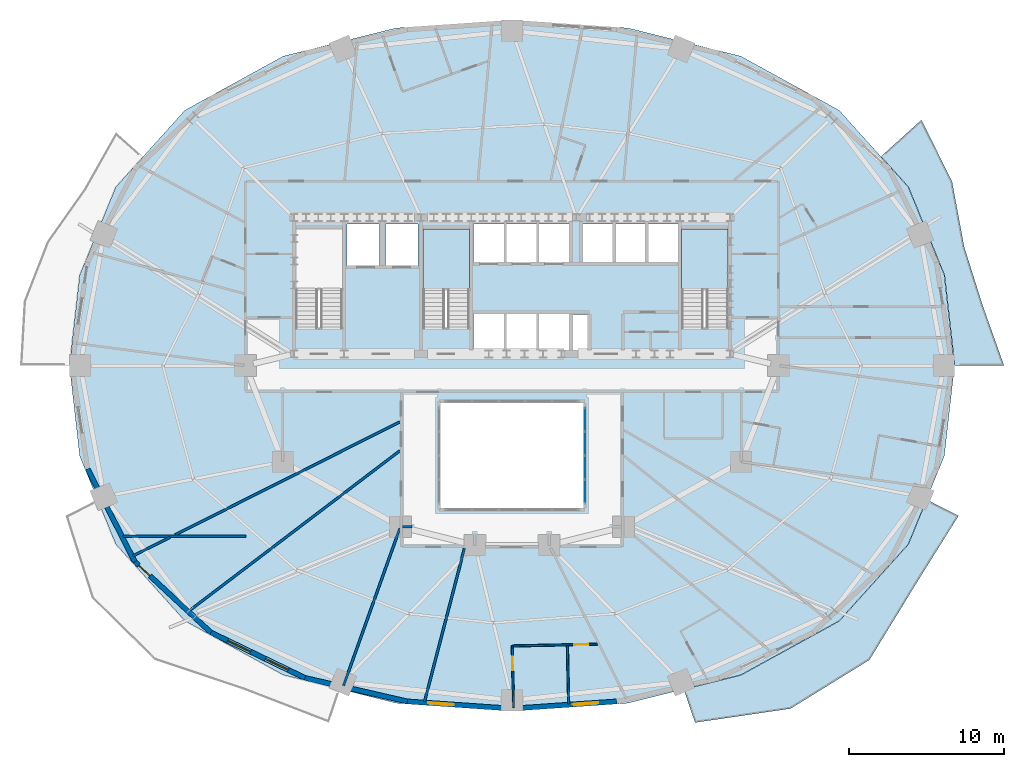
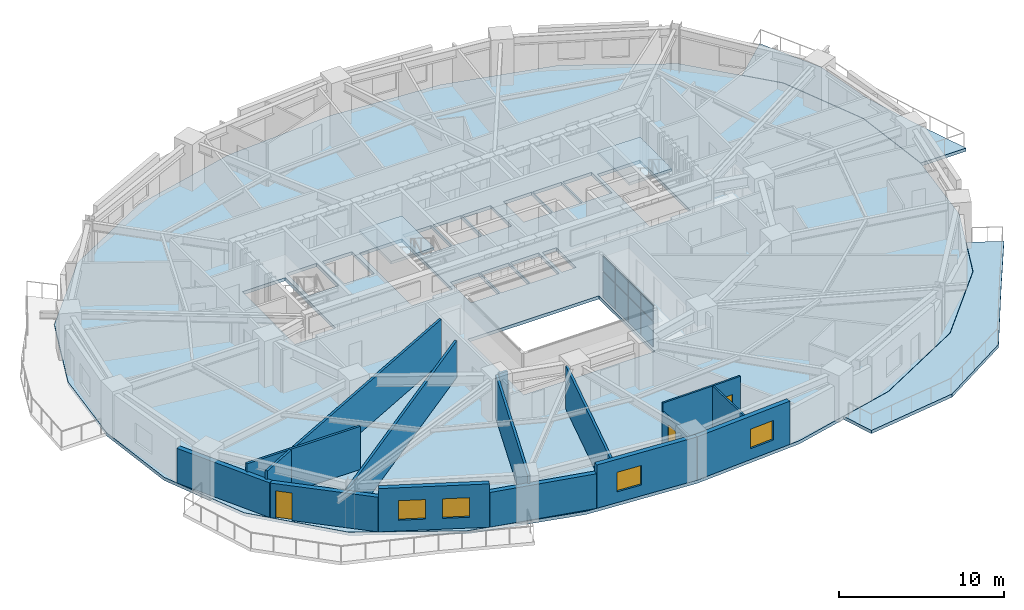
# One storey, part 7 of 15: 16 walls, 8 plates, 5 slabs, 4 windows, 3 doors, 7 openings, 3 elements without a shape of their own.
"""IFC4 building model written with IfcOpenShell, lengths in metres."""

import ifcopenshell
import ifcopenshell.guid

model = None  # the IFC model being written
_history = None  # IfcOwnerHistory: only IFC2X3 demands one
_inside = {}  # id of a spatial element -> (the spatial element, [elements in it])
_under = {}  # id of a project, library or spatial element -> (it, [spatial elements below it])
_declared = {}  # id of a project -> (the project, [libraries it declares])
_typed = {}  # id of a type object -> (the type object, [elements of that type])
_made_of = {}  # id of a material, layer set ... -> (it, [elements and type objects made of it])


def new_model(schema):
    """Start an empty IFC model of exactly this schema.

    Asked for "IFC4X3", IfcOpenShell would pick the latest addendum, in which some entities
    have other attributes; the version numbers below select the first issue.
    IFC2X3 requires an IfcOwnerHistory on every rooted entity: one is made here for all.
    """
    global model, _history
    if schema == "IFC4X3":
        model = ifcopenshell.file(schema_version=(4, 3, 0, 0))
    else:
        model = ifcopenshell.file(schema=schema)
    _inside.clear()
    _under.clear()
    _declared.clear()
    _typed.clear()
    _made_of.clear()
    _history = None
    if model.schema == "IFC2X3":
        org = make("IfcOrganization", Name="unknown")
        user = make(
            "IfcPersonAndOrganization",
            ThePerson=make("IfcPerson", FamilyName="unknown"),
            TheOrganization=org,
        )
        app = make(
            "IfcApplication",
            ApplicationDeveloper=org,
            Version="unknown",
            ApplicationFullName="unknown",
            ApplicationIdentifier="unknown",
        )
        _history = make(
            "IfcOwnerHistory",
            OwningUser=user,
            OwningApplication=app,
            ChangeAction="ADDED",
            CreationDate=0,
        )
    return model


def make(cls, **values):
    """One entity of the class cls with the attributes given. An attribute that is None is left unset."""
    return model.create_entity(
        cls, **{name: value for name, value in values.items() if value is not None}
    )


def rooted(cls, **values):
    """An entity with a GlobalId (a new one), such as an element, a storey or a relation."""
    return make(cls, GlobalId=ifcopenshell.guid.new(), OwnerHistory=_history, **values)


def si_unit(unit_type, name, prefix=None):
    """IfcSIUnit, for example si_unit("LENGTHUNIT", "METRE", prefix="MILLI")."""
    return make("IfcSIUnit", UnitType=unit_type, Prefix=prefix, Name=name)


def assignment(units):
    """IfcUnitAssignment: the units of a project."""
    return None if units is None else make("IfcUnitAssignment", Units=units)


def point(xyz):
    """IfcCartesianPoint."""
    return None if xyz is None else make("IfcCartesianPoint", Coordinates=xyz)


def direction(xyz):
    """IfcDirection."""
    return None if xyz is None else make("IfcDirection", DirectionRatios=xyz)


def frame(location, z_axis=None, x_axis=None):
    """IfcAxis2Placement3D, a coordinate frame: its origin and axes. An axis left out is left unset."""
    return make(
        "IfcAxis2Placement3D",
        Location=point(location),
        Axis=direction(z_axis),
        RefDirection=direction(x_axis),
    )


def frame_2d(location, x_axis=None):
    """IfcAxis2Placement2D, a coordinate frame in the plane: its origin and x axis."""
    return make(
        "IfcAxis2Placement2D", Location=point(location), RefDirection=direction(x_axis)
    )


def origin():
    """The frame at (0, 0, 0) with its axes left unset."""
    return frame((0.0, 0.0, 0.0))


def origin_2d():
    """The frame at (0, 0) in the plane with its x axis left unset."""
    return frame_2d((0.0, 0.0))


def place(relative_to, where):
    """IfcLocalPlacement: puts the frame where relative to a parent placement (None: the world)."""
    return make(
        "IfcLocalPlacement", PlacementRelTo=relative_to, RelativePlacement=where
    )


def context(
    kind, dimensions, precision=None, world=None, true_north=None, identifier=None
):
    """IfcGeometricRepresentationContext, for example the 3D "Model" context."""
    return make(
        "IfcGeometricRepresentationContext",
        ContextIdentifier=identifier,
        ContextType=kind,
        CoordinateSpaceDimension=dimensions,
        Precision=precision,
        WorldCoordinateSystem=world,
        TrueNorth=true_north,
    )


def subcontext(parent, identifier, kind, view, scale=None):
    """IfcGeometricRepresentationSubContext, for example "Body" below "Model"."""
    return make(
        "IfcGeometricRepresentationSubContext",
        ContextIdentifier=identifier,
        ContextType=kind,
        ParentContext=parent,
        TargetScale=scale,
        TargetView=view,
    )


def project(units=None, contexts=None):
    """IfcProject with its units and contexts."""
    return rooted(
        "IfcProject",
        Name="project",
        RepresentationContexts=contexts,
        UnitsInContext=assignment(units),
    )


def spatial(cls, under=None, at=None, **own):
    """A site, building, storey or space (cls), placed at a placement, below another one or the project."""
    s = rooted(cls, ObjectPlacement=at, **own)
    if under is not None:
        _under.setdefault(under.id(), (under, []))[1].append(s)
    return s


def polyline(points):
    """IfcPolyline through the points."""
    return make("IfcPolyline", Points=[point(p) for p in points])


def profile(cls, at=None, kind="AREA", **sizes):
    """A parametric profile (cls). Its sizes go by their IFC names, for example OverallWidth=200.0."""
    return make(cls, ProfileType=kind, Position=at, **sizes)


def rectangle(**sizes):
    """IfcRectangleProfileDef."""
    return profile("IfcRectangleProfileDef", **sizes)


def outline(outer, holes=None, kind="AREA"):
    """IfcArbitraryClosedProfileDef: a profile drawn as a closed curve; with holes, ...WithVoids."""
    if holes is None:
        return make("IfcArbitraryClosedProfileDef", ProfileType=kind, OuterCurve=outer)
    return make(
        "IfcArbitraryProfileDefWithVoids",
        ProfileType=kind,
        OuterCurve=outer,
        InnerCurves=holes,
    )


def extrude(swept, where, along, depth):
    """IfcExtrudedAreaSolid: the profile swept, set in the frame where, extruded along a direction by depth."""
    return make(
        "IfcExtrudedAreaSolid",
        SweptArea=swept,
        Position=where,
        ExtrudedDirection=direction(along),
        Depth=depth,
    )


def shape(context_of_items, identifier, shape_type, items):
    """IfcShapeRepresentation: the items that make up one representation, for example the "Body"."""
    return make(
        "IfcShapeRepresentation",
        ContextOfItems=context_of_items,
        RepresentationIdentifier=identifier,
        RepresentationType=shape_type,
        Items=items,
    )


def material(Name=None, Category=None):
    """IfcMaterial."""
    return make("IfcMaterial", Name=Name, Category=Category)


def layer(
    of_material, thickness, ventilated=None, Name=None, Category=None, Priority=None
):
    """IfcMaterialLayer: one layer of a wall or slab, of a material (None: an air gap)."""
    return make(
        "IfcMaterialLayer",
        Material=of_material,
        LayerThickness=thickness,
        IsVentilated=ventilated,
        Name=Name,
        Category=Category,
        Priority=Priority,
    )


def layer_set(layers, Name=None):
    """IfcMaterialLayerSet."""
    return make("IfcMaterialLayerSet", MaterialLayers=layers, LayerSetName=Name)


def made_of(thing, what):
    """Note that an element or type object is made of a material, layer set ...; save() writes the relation."""
    if what is not None:
        _made_of.setdefault(what.id(), (what, []))[1].append(thing)
    return thing


def type_object(cls, material=None, **own):
    """A type object (cls), such as IfcWallType, which elements share."""
    return made_of(rooted(cls, **own), material)


def element(
    cls,
    number,
    at=None,
    inside=None,
    cuts=None,
    type_object=None,
    material=None,
    context=None,
    identifier="Body",
    shape_type=None,
    held_by="IfcProductDefinitionShape",
    body=None,
    shapes=None,
    **own,
):
    """One element of the class cls, such as IfcWall. Its Tag is "e" and its number.

    at: its placement. inside: the storey or other place that contains it. cuts: it is an
    opening in that element (IfcRelVoidsElement). A single representation is given by context,
    identifier, shape_type and body (its items); several are given by shapes. held_by: the class
    of the entity that holds the representations. save() writes the other relations.
    """
    e = rooted(cls, Tag="e%d" % number, ObjectPlacement=at, **own)
    if body is not None:
        shapes = [shape(context, identifier, shape_type, body)]
    if shapes is not None:
        e.Representation = make(held_by, Representations=shapes)
    if inside is not None:
        _inside.setdefault(inside.id(), (inside, []))[1].append(e)
    if cuts is not None:
        rooted(
            "IfcRelVoidsElement", RelatingBuildingElement=cuts, RelatedOpeningElement=e
        )
    if type_object is not None:
        _typed.setdefault(type_object.id(), (type_object, []))[1].append(e)
    return made_of(e, material)


def fill(opening, filler):
    """IfcRelFillsElement: the door or window that sits in an opening."""
    return rooted(
        "IfcRelFillsElement",
        RelatingOpeningElement=opening,
        RelatedBuildingElement=filler,
    )


def aggregate(whole, parts):
    """IfcRelAggregates: a whole, such as a stair, and the parts it consists of."""
    return rooted("IfcRelAggregates", RelatingObject=whole, RelatedObjects=parts)


def save(model, path):
    """Write the relations noted so far, then the file.

    IfcRelAggregates (storeys below a building ...), IfcRelContainedInSpatialStructure (elements
    in a storey), IfcRelDefinesByType, IfcRelAssociatesMaterial and IfcRelDeclares: one each for
    every whole, place, type object, material and project.
    """
    for whole, parts in _under.values():
        aggregate(whole, parts)
    for where, things in _inside.values():
        rooted(
            "IfcRelContainedInSpatialStructure",
            RelatedElements=things,
            RelatingStructure=where,
        )
    for kind, things in _typed.values():
        rooted("IfcRelDefinesByType", RelatedObjects=things, RelatingType=kind)
    for what, things in _made_of.values():
        rooted("IfcRelAssociatesMaterial", RelatedObjects=things, RelatingMaterial=what)
    for by, libraries in _declared.values():
        rooted("IfcRelDeclares", RelatingContext=by, RelatedDefinitions=libraries)
    model.write(path)


model = new_model("IFC4")

# Units and contexts
model_context = context("Model", 3, precision=1e-05, world=origin(), true_north=direction((0.0, 1.0)))
body_context = subcontext(model_context, "Body", "Model", "MODEL_VIEW")
ifc_project = project(units=[si_unit("LENGTHUNIT", "METRE"), si_unit("AREAUNIT", "SQUARE_METRE"), si_unit("VOLUMEUNIT", "CUBIC_METRE"), si_unit("PLANEANGLEUNIT", "RADIAN"), si_unit("MASSUNIT", "GRAM", prefix="KILO")], contexts=[model_context])

# Site, building, storey
site_placement = place(None, origin())
site = spatial("IfcSite", under=ifc_project, at=site_placement, CompositionType="ELEMENT")
building_placement = place(site_placement, origin())
building = spatial("IfcBuilding", under=site, at=building_placement, Name="Haldorwick Loom Tower", CompositionType="ELEMENT")
storey_placement = place(building_placement, frame((0.0, 0.0, 85.25)))
storey = spatial("IfcBuildingStorey", under=building, at=storey_placement, Name="L22", CompositionType="ELEMENT", Elevation=85.25)

# Curtain wall, plates
ifc_material_1 = material(Name="Thermally Broken Anodized Aluminium Curtain Wall Framing", Category="aluminium")
curtain_wall_type = type_object("IfcCurtainWallType", Name="ARC-CW-03", PredefinedType="NOTDEFINED", material=ifc_material_1)
curtain_wall_placement = place(storey_placement, origin())
curtain_wall = element("IfcCurtainWall", 1, at=curtain_wall_placement, inside=storey, type_object=curtain_wall_type, Name="L22 Atrium Glazed Screen E", PredefinedType="NOTDEFINED")
ifc_material_2 = material(Name="Triple-Glazed Low-E Argon Insulated Glazing Unit", Category="glass")
ifc_layer_1 = layer(ifc_material_2, 0.04296875, Name="Triple-Glazed Low-E Argon Insulated Glazing Unit", Category="glass")
ifc_layer_set_1 = layer_set([ifc_layer_1], Name="Triple-Glazed Low-E Argon Insulated Glazing Unit")
plate_type = type_object("IfcPlateType", Name="ARC-CWP-03", PredefinedType="CURTAIN_PANEL", material=ifc_layer_set_1)
plate_1_placement = place(storey_placement, frame((40.699951171875, 22.508544921875, 0.066162109375), z_axis=(0.0, 0.0, 1.0), x_axis=(0.0, -1.0, 0.0)))
plate_1 = element("IfcPlate", 2, at=plate_1_placement, type_object=plate_type, Name="CW-03 panel 1.1", PredefinedType="CURTAIN_PANEL", context=body_context, shape_type="SweptSolid", body=[
    extrude(rectangle(XDim=1.450927734375, YDim=0.04296875, at=origin_2d()), origin(), (0.0, 0.0, 1.0), 1.90087890625),
])
plate_2_placement = place(storey_placement, frame((40.699951171875, 22.508544921875, 2.03271484375), z_axis=(0.0, 0.0, 1.0), x_axis=(0.0, -1.0, 0.0)))
plate_2 = element("IfcPlate", 3, at=plate_2_placement, type_object=plate_type, Name="CW-03 panel 1.2", PredefinedType="CURTAIN_PANEL", context=body_context, shape_type="SweptSolid", body=[
    extrude(rectangle(XDim=1.450927734375, YDim=0.04296875, at=origin_2d()), origin(), (0.0, 0.0, 1.0), 1.111083984375),
])
plate_3_placement = place(storey_placement, frame((40.699951171875, 20.97509765625, 0.066162109375), z_axis=(0.0, 0.0, 1.0), x_axis=(0.0, -1.0, 0.0)))
plate_3 = element("IfcPlate", 4, at=plate_3_placement, type_object=plate_type, Name="CW-03 panel 2.1", PredefinedType="CURTAIN_PANEL", context=body_context, shape_type="SweptSolid", body=[
    extrude(rectangle(XDim=1.48388671875, YDim=0.04296875, at=origin_2d()), origin(), (0.0, 0.0, 1.0), 1.90087890625),
])
plate_4_placement = place(storey_placement, frame((40.699951171875, 20.97509765625, 2.03271484375), z_axis=(0.0, 0.0, 1.0), x_axis=(0.0, -1.0, 0.0)))
plate_4 = element("IfcPlate", 5, at=plate_4_placement, type_object=plate_type, Name="CW-03 panel 2.2", PredefinedType="CURTAIN_PANEL", context=body_context, shape_type="SweptSolid", body=[
    extrude(rectangle(XDim=1.48388671875, YDim=0.04296875, at=origin_2d()), origin(), (0.0, 0.0, 1.0), 1.111083984375),
])
plate_5_placement = place(storey_placement, frame((40.699951171875, 19.425048828125, 0.066162109375), z_axis=(0.0, 0.0, 1.0), x_axis=(0.0, -1.0, 0.0)))
plate_5 = element("IfcPlate", 6, at=plate_5_placement, type_object=plate_type, Name="CW-03 panel 3.1", PredefinedType="CURTAIN_PANEL", context=body_context, shape_type="SweptSolid", body=[
    extrude(rectangle(XDim=1.48388671875, YDim=0.04296875, at=origin_2d()), origin(), (0.0, 0.0, 1.0), 1.90087890625),
])
plate_6_placement = place(storey_placement, frame((40.699951171875, 19.425048828125, 2.03271484375), z_axis=(0.0, 0.0, 1.0), x_axis=(0.0, -1.0, 0.0)))
plate_6 = element("IfcPlate", 7, at=plate_6_placement, type_object=plate_type, Name="CW-03 panel 3.2", PredefinedType="CURTAIN_PANEL", context=body_context, shape_type="SweptSolid", body=[
    extrude(rectangle(XDim=1.48388671875, YDim=0.04296875, at=origin_2d()), origin(), (0.0, 0.0, 1.0), 1.111083984375),
])
plate_7_placement = place(storey_placement, frame((40.699951171875, 17.8916015625, 0.066162109375), z_axis=(0.0, 0.0, 1.0), x_axis=(0.0, -1.0, 0.0)))
plate_7 = element("IfcPlate", 8, at=plate_7_placement, type_object=plate_type, Name="CW-03 panel 4.1", PredefinedType="CURTAIN_PANEL", context=body_context, shape_type="SweptSolid", body=[
    extrude(rectangle(XDim=1.450927734375, YDim=0.04296875, at=origin_2d()), origin(), (0.0, 0.0, 1.0), 1.90087890625),
])
plate_8_placement = place(storey_placement, frame((40.699951171875, 17.8916015625, 2.03271484375), z_axis=(0.0, 0.0, 1.0), x_axis=(0.0, -1.0, 0.0)))
plate_8 = element("IfcPlate", 9, at=plate_8_placement, type_object=plate_type, Name="CW-03 panel 4.2", PredefinedType="CURTAIN_PANEL", context=body_context, shape_type="SweptSolid", body=[
    extrude(rectangle(XDim=1.450927734375, YDim=0.04296875, at=origin_2d()), origin(), (0.0, 0.0, 1.0), 1.111083984375),
])
aggregate(curtain_wall, [plate_1, plate_2, plate_3, plate_4, plate_5, plate_6, plate_7, plate_8])

# Slabs
ifc_material_3 = material(Name="Concrete C40 (40 MPa)", Category="concrete")
ifc_layer_2 = layer(ifc_material_3, 0.239990234375, Name="Concrete C40 (40 MPa)", Category="concrete")
ifc_layer_set_2 = layer_set([ifc_layer_2], Name="Concrete C40 (40 MPa)")
slab_type_1 = type_object("IfcSlabType", Name="STR-SLB-BAL240", PredefinedType="FLOOR", material=ifc_layer_set_2)
slab_1_placement = place(storey_placement, frame((0.0, 0.0, -0.239990234375)))
element("IfcSlab", 10, at=slab_1_placement, inside=storey, type_object=slab_type_1, Name="L22 Sinusoidal Balcony Terrace BAL_SE", PredefinedType="FLOOR", context=body_context, shape_type="SweptSolid", body=[
    extrude(outline(polyline([(62.7587890625, 17.34912109375), (61.580078125, 14.468994140625), (61.579345703125, 14.4677734375), (61.578857421875, 14.466552734375), (61.578125, 14.465576171875), (61.5771484375, 14.464599609375), (57.11279296875, 9.51318359375), (57.11181640625, 9.51220703125), (57.1103515625, 9.510986328125), (57.10888671875, 9.51025390625), (50.767822265625, 6.0244140625), (50.7666015625, 6.023681640625), (50.765380859375, 6.023193359375), (50.76416015625, 6.022705078125), (47.08740234375, 5.105224609375), (47.81201171875, 2.964599609375), (53.978271484375, 3.8662109375), (59.06396484375, 7.01025390625), (62.07080078125, 11.92578125), (64.807373046875, 16.303955078125), (62.7587890625, 17.34912109375)])), origin(), (0.0, 0.0, 1.0), 0.239990234375),
])
slab_2_placement = place(storey_placement, frame((0.0, 0.0, -0.239990234375)))
element("IfcSlab", 11, at=slab_2_placement, inside=storey, type_object=slab_type_1, Name="L22 Sinusoidal Balcony Terrace BAL_ENE", PredefinedType="FLOOR", context=body_context, shape_type="SweptSolid", body=[
    extrude(outline(polyline([(59.81298828125, 39.491943359375), (61.5771484375, 37.535400390625), (61.578125, 37.534423828125), (61.578857421875, 37.533447265625), (61.579345703125, 37.5322265625), (61.580078125, 37.531005859375), (63.90869140625, 31.841796875), (63.9091796875, 31.840576171875), (63.909423828125, 31.83935546875), (63.90966796875, 31.837890625), (64.572509765625, 26.001708984375), (64.572509765625, 26.0), (67.74609375, 26.0), (66.357421875, 29.9150390625), (65.176025390625, 33.660888671875), (64.396728515625, 37.858642578125), (62.423095703125, 41.85400390625), (59.81298828125, 39.491943359375)])), origin(), (0.0, 0.0, 1.0), 0.239990234375),
])

# Stair, slab
stair_type = type_object("IfcStairType", Name="STR-STR-CORE", PredefinedType="HALF_TURN_STAIR", material=ifc_material_3)
stair_1_placement = place(storey_placement, origin())
stair_1 = element("IfcStair", 12, at=stair_1_placement, inside=storey, type_object=stair_type, Name="L22 Exit Stair ST-02", PredefinedType="HALF_TURN_STAIR")
ifc_layer_3 = layer(ifc_material_3, 0.199951171875, Name="Concrete C40 (40 MPa)", Category="concrete")
ifc_layer_set_3 = layer_set([ifc_layer_3], Name="Concrete C40 (40 MPa)")
slab_type_2 = type_object("IfcSlabType", Name="STR-SLB-LAND200", PredefinedType="LANDING", material=ifc_layer_set_3)
slab_3_placement = place(storey_placement, frame((0.0, 0.0, 1.52490234375)))
slab_3 = element("IfcSlab", 13, at=slab_3_placement, type_object=slab_type_2, Name="ST-02 landing 1", PredefinedType="LANDING", context=body_context, shape_type="SweptSolid", body=[
    extrude(outline(polyline([(49.949951171875, 30.919921875), (49.949951171875, 34.800048828125), (46.949951171875, 34.800048828125), (46.949951171875, 30.919921875), (49.949951171875, 30.919921875)])), origin(), (0.0, 0.0, 1.0), 0.2001953125),
])
aggregate(stair_1, [slab_3])

stair_2_placement = place(storey_placement, origin())
stair_2 = element("IfcStair", 14, at=stair_2_placement, inside=storey, type_object=stair_type, Name="L22 Exit Stair ST-03", PredefinedType="HALF_TURN_STAIR")
slab_4_placement = place(storey_placement, frame((0.0, 0.0, 1.52490234375)))
slab_4 = element("IfcSlab", 15, at=slab_4_placement, type_object=slab_type_2, Name="ST-03 landing 1", PredefinedType="LANDING", context=body_context, shape_type="SweptSolid", body=[
    extrude(outline(polyline([(33.25, 30.919921875), (33.25, 34.800048828125), (30.25, 34.800048828125), (30.25, 30.919921875), (33.25, 30.919921875)])), origin(), (0.0, 0.0, 1.0), 0.2001953125),
])
aggregate(stair_2, [slab_4])

# Slab
ifc_layer_4 = layer(ifc_material_3, 0.239990234375, Name="Concrete C40 (40 MPa)", Category="concrete")
ifc_layer_set_4 = layer_set([ifc_layer_4], Name="Concrete C40 (40 MPa)")
slab_type_3 = type_object("IfcSlabType", Name="STR-SLB-RES240", PredefinedType="FLOOR", material=ifc_layer_set_4)
slab_5_placement = place(storey_placement, frame((0.0, 0.0, -0.239990234375)))
element("IfcSlab", 16, at=slab_5_placement, inside=storey, type_object=slab_type_3, Name="L22 Residential Structural Floor Slab", PredefinedType="FLOOR", context=body_context, shape_type="SweptSolid", body=[
    extrude(outline(polyline([(57.101806640625, 9.523193359375), (61.566162109375, 14.474609375), (63.894775390625, 20.163818359375), (64.5576171875, 26.0), (63.894775390625, 31.836181640625), (61.566162109375, 37.525390625), (57.101806640625, 42.476806640625), (50.760498046875, 45.962646484375), (43.474365234375, 47.781005859375), (36.0, 48.29833984375), (28.525634765625, 47.781005859375), (21.239501953125, 45.962646484375), (14.898193359375, 42.476806640625), (10.433837890625, 37.525390625), (8.105224609375, 31.836181640625), (7.4423828125, 26.0), (8.105224609375, 20.163818359375), (10.433837890625, 14.474609375), (14.898193359375, 9.523193359375), (21.239501953125, 6.037353515625), (28.525634765625, 4.218994140625), (36.0, 3.70166015625), (43.474365234375, 4.218994140625), (50.760498046875, 6.037353515625), (57.101806640625, 9.523193359375)]), holes=[polyline([(31.39990234375, 23.60009765625), (40.60009765625, 23.60009765625), (40.60009765625, 16.800048828125), (31.39990234375, 16.800048828125), (31.39990234375, 23.60009765625)]), polyline([(33.5, 26.85009765625), (33.5, 29.35009765625), (35.5, 29.35009765625), (35.5, 26.85009765625), (33.5, 26.85009765625)]), polyline([(22.050048828125, 28.39990234375), (22.050048828125, 34.800048828125), (25.050048828125, 34.800048828125), (25.050048828125, 28.639892578125), (23.6201171875, 28.639892578125), (23.6201171875, 28.39990234375), (22.050048828125, 28.39990234375)]), polyline([(30.25, 28.39990234375), (30.25, 34.800048828125), (33.25, 34.800048828125), (33.25, 28.639892578125), (31.820068359375, 28.639892578125), (31.820068359375, 28.39990234375), (30.25, 28.39990234375)]), polyline([(25.35009765625, 32.449951171875), (25.35009765625, 35.14990234375), (27.449951171875, 35.14990234375), (27.449951171875, 32.449951171875), (25.35009765625, 32.449951171875)]), polyline([(27.85009765625, 32.449951171875), (27.85009765625, 35.14990234375), (29.949951171875, 35.14990234375), (29.949951171875, 32.449951171875), (27.85009765625, 32.449951171875)]), polyline([(33.5, 32.64990234375), (33.5, 35.14990234375), (35.5, 35.14990234375), (35.5, 32.64990234375), (33.5, 32.64990234375)]), polyline([(35.60009765625, 32.64990234375), (35.60009765625, 35.14990234375), (37.60009765625, 35.14990234375), (37.60009765625, 32.64990234375), (35.60009765625, 32.64990234375)]), polyline([(35.60009765625, 26.85009765625), (35.60009765625, 29.35009765625), (37.60009765625, 29.35009765625), (37.60009765625, 26.85009765625), (35.60009765625, 26.85009765625)]), polyline([(37.699951171875, 26.85009765625), (37.699951171875, 29.35009765625), (39.699951171875, 29.35009765625), (39.699951171875, 26.85009765625), (37.699951171875, 26.85009765625)]), polyline([(39.89990234375, 26.89990234375), (39.89990234375, 29.300048828125), (40.89990234375, 29.300048828125), (40.89990234375, 26.89990234375), (39.89990234375, 26.89990234375)]), polyline([(46.949951171875, 28.39990234375), (46.949951171875, 34.800048828125), (49.949951171875, 34.800048828125), (49.949951171875, 28.639892578125), (48.52001953125, 28.639892578125), (48.52001953125, 28.39990234375), (46.949951171875, 28.39990234375)]), polyline([(37.699951171875, 32.64990234375), (37.699951171875, 35.14990234375), (39.699951171875, 35.14990234375), (39.699951171875, 32.64990234375), (37.699951171875, 32.64990234375)]), polyline([(40.550048828125, 32.64990234375), (40.550048828125, 35.14990234375), (42.550048828125, 35.14990234375), (42.550048828125, 32.64990234375), (40.550048828125, 32.64990234375)]), polyline([(42.64990234375, 32.64990234375), (42.64990234375, 35.14990234375), (44.64990234375, 35.14990234375), (44.64990234375, 32.64990234375), (42.64990234375, 32.64990234375)]), polyline([(44.75, 32.64990234375), (44.75, 35.14990234375), (46.75, 35.14990234375), (46.75, 32.64990234375), (44.75, 32.64990234375)])]), origin(), (0.0, 0.0, 1.0), 0.239990234375),
])

# Wall
ifc_material_4 = material(Name="Pressed Clay Face Brick and Insulated Masonry Backup Assembly", Category="masonry")
ifc_layer_5 = layer(ifc_material_4, 0.320068359375, Name="Pressed Clay Face Brick and Insulated Masonry Backup Assembly", Category="masonry")
ifc_layer_set_5 = layer_set([ifc_layer_5], Name="Pressed Clay Face Brick and Insulated Masonry Backup Assembly")
wall_type_1 = type_object("IfcWallType", Name="ARC-WL-EXT320", PredefinedType="STANDARD", material=ifc_layer_set_5)
wall_1_placement = place(storey_placement, frame((8.619384765625, 19.324951171875, 0.0), z_axis=(0.0, 0.0, 1.0), x_axis=(0.453374078001, -0.89132033826, 0.0)))
element("IfcWall", 17, at=wall_1_placement, inside=storey, type_object=wall_type_1, Name="L22 Brick Pier and Spandrel Wall 14", PredefinedType="STANDARD", context=body_context, shape_type="SweptSolid", body=[
    extrude(rectangle(XDim=6.709716796875, YDim=0.320068359375, at=frame_2d((3.35498046875, 0.0))), origin(), (0.0, 0.0, 1.0), 2.569091796875),
])

# Wall, opening, door
wall_2_placement = place(storey_placement, frame((11.661376953125, 13.344482421875, 0.0), z_axis=(0.0, 0.0, 1.0), x_axis=(0.732137360086, -0.681157020052, 0.0)))
wall_2 = element("IfcWall", 18, at=wall_2_placement, inside=storey, type_object=wall_type_1, Name="L22 Brick Pier and Spandrel Wall 15", PredefinedType="STANDARD", context=body_context, shape_type="SweptSolid", body=[
    extrude(rectangle(XDim=6.709228515625, YDim=0.320068359375, at=frame_2d((3.3544921875, 0.0))), origin(), (0.0, 0.0, 1.0), 2.569091796875),
])
opening_1_placement = place(wall_2_placement, frame((0.340087890625, 0.0, 0.0)))
opening_1 = element("IfcOpeningElement", 19, at=opening_1_placement, cuts=wall_2, Name="Opening D-BL10", PredefinedType="OPENING", context=body_context, shape_type="SweptSolid", body=[
    extrude(rectangle(XDim=1.0, YDim=2.0400390625, at=frame_2d((0.5, 1.02001953125))), frame((0.0, 0.169921875, 0.0), z_axis=(0.0, -1.0, 0.0), x_axis=(1.0, 0.0, 0.0)), (0.0, 0.0, 1.0), 0.340087890625),
])
door_type_1 = type_object("IfcDoorType", Name="ARC-DR-BAL100", OperationType="NOTDEFINED", PredefinedType="DOOR", material=ifc_material_1)
door_1_placement = place(opening_1_placement, origin())
door_1 = element("IfcDoor", 20, at=door_1_placement, inside=storey, type_object=door_type_1, Name="L22 Outdoor Terrace Door SLB-L22-BAL_SW", OperationType="SINGLE_SWING_LEFT", OverallHeight=2.0400390625, OverallWidth=1.0, PredefinedType="DOOR", context=body_context, shape_type="SweptSolid", body=[
    extrude(rectangle(XDim=1.0, YDim=2.0400390625, at=frame_2d((0.5, 1.02001953125))), frame((0.0, 0.02490234375, 0.0), z_axis=(0.0, -1.0, 0.0), x_axis=(1.0, 0.0, 0.0)), (0.0, 0.0, 1.0), 0.050048828125),
])
fill(opening_1, door_1)

# Wall, openings, windows
wall_3_placement = place(storey_placement, frame((16.573486328125, 8.7744140625, 0.0), z_axis=(0.0, 0.0, 1.0), x_axis=(0.900510094661, -0.434835106004, 0.0)))
wall_3 = element("IfcWall", 21, at=wall_3_placement, inside=storey, type_object=wall_type_1, Name="L22 Brick Pier and Spandrel Wall 16", PredefinedType="STANDARD", context=body_context, shape_type="SweptSolid", body=[
    extrude(rectangle(XDim=6.744873046875, YDim=0.320068359375, at=frame_2d((3.37255859375, 0.0))), origin(), (0.0, 0.0, 1.0), 3.2099609375),
])
opening_2_placement = place(wall_3_placement, frame((1.198486328125, 0.0, 0.800048828125)))
opening_2 = element("IfcOpeningElement", 22, at=opening_2_placement, cuts=wall_3, Name="Opening W-01B", PredefinedType="OPENING", context=body_context, shape_type="SweptSolid", body=[
    extrude(rectangle(XDim=1.64990234375, YDim=1.449951171875, at=frame_2d((0.824951171875, 0.72509765625))), frame((0.0, 0.169921875, 0.0), z_axis=(0.0, -1.0, 0.0), x_axis=(1.0, 0.0, 0.0)), (0.0, 0.0, 1.0), 0.340087890625),
])
opening_3_placement = place(wall_3_placement, frame((3.896484375, 0.0, 0.800048828125)))
opening_3 = element("IfcOpeningElement", 23, at=opening_3_placement, cuts=wall_3, Name="Opening W-01B", PredefinedType="OPENING", context=body_context, shape_type="SweptSolid", body=[
    extrude(rectangle(XDim=1.64990234375, YDim=1.449951171875, at=frame_2d((0.824951171875, 0.72509765625))), frame((0.0, 0.169921875, 0.0), z_axis=(0.0, -1.0, 0.0), x_axis=(1.0, 0.0, 0.0)), (0.0, 0.0, 1.0), 0.340087890625),
])
window_type = type_object("IfcWindowType", Name="ARC-WIN-W165", PartitioningType="SINGLE_PANEL", PredefinedType="WINDOW", material=ifc_material_2)
window_1_placement = place(opening_2_placement, origin())
window_1 = element("IfcWindow", 24, at=window_1_placement, inside=storey, type_object=window_type, Name="L22 Deep-Set Zone 7A Window 16", OverallHeight=1.449951171875, OverallWidth=1.64990234375, PartitioningType="SINGLE_PANEL", PredefinedType="WINDOW", context=body_context, shape_type="SweptSolid", body=[
    extrude(rectangle(XDim=1.64990234375, YDim=1.449951171875, at=frame_2d((0.824951171875, 0.72509765625))), frame((0.0, 0.030029296875, 0.0), z_axis=(0.0, -1.0, 0.0), x_axis=(1.0, 0.0, 0.0)), (0.0, 0.0, 1.0), 0.06005859375),
])
fill(opening_2, window_1)
window_2_placement = place(opening_3_placement, origin())
window_2 = element("IfcWindow", 25, at=window_2_placement, inside=storey, type_object=window_type, Name="L22 Deep-Set Zone 7A Window 16", OverallHeight=1.449951171875, OverallWidth=1.64990234375, PartitioningType="SINGLE_PANEL", PredefinedType="WINDOW", context=body_context, shape_type="SweptSolid", body=[
    extrude(rectangle(XDim=1.64990234375, YDim=1.449951171875, at=frame_2d((0.824951171875, 0.72509765625))), frame((0.0, 0.030029296875, 0.0), z_axis=(0.0, -1.0, 0.0), x_axis=(1.0, 0.0, 0.0)), (0.0, 0.0, 1.0), 0.06005859375),
])
fill(opening_3, window_2)

# Wall
wall_4_placement = place(storey_placement, frame((22.647216796875, 5.841552734375, 0.0), z_axis=(0.0, 0.0, 1.0), x_axis=(0.974584177714, -0.224021607329, 0.0)))
element("IfcWall", 26, at=wall_4_placement, inside=storey, type_object=wall_type_1, Name="L22 Brick Pier and Spandrel Wall 17", PredefinedType="STANDARD", context=body_context, shape_type="SweptSolid", body=[
    extrude(rectangle(XDim=6.767822265625, YDim=0.320068359375, at=frame_2d((3.3837890625, 0.0))), origin(), (0.0, 0.0, 1.0), 2.569091796875),
])

# Wall, opening, window
wall_5_placement = place(storey_placement, frame((29.242919921875, 4.325439453125, 0.0), z_axis=(0.0, 0.0, 1.0), x_axis=(0.997651949344, -0.068487867318, 0.0)))
wall_5 = element("IfcWall", 27, at=wall_5_placement, inside=storey, type_object=wall_type_1, Name="L22 Brick Pier and Spandrel Wall 18", PredefinedType="STANDARD", context=body_context, shape_type="SweptSolid", body=[
    extrude(rectangle(XDim=6.77294921875, YDim=0.320068359375, at=frame_2d((3.386474609375, 0.0))), origin(), (0.0, 0.0, 1.0), 3.2099609375),
])
opening_4_placement = place(wall_5_placement, frame((1.360595703125, 0.0, 0.800048828125)))
opening_4 = element("IfcOpeningElement", 28, at=opening_4_placement, cuts=wall_5, Name="Opening W-01B", PredefinedType="OPENING", context=body_context, shape_type="SweptSolid", body=[
    extrude(rectangle(XDim=1.64990234375, YDim=1.449951171875, at=frame_2d((0.824951171875, 0.72509765625))), frame((0.0, 0.169921875, 0.0), z_axis=(0.0, -1.0, 0.0), x_axis=(1.0, 0.0, 0.0)), (0.0, 0.0, 1.0), 0.340087890625),
])
window_3_placement = place(opening_4_placement, origin())
window_3 = element("IfcWindow", 29, at=window_3_placement, inside=storey, type_object=window_type, Name="L22 Deep-Set Zone 7A Window 18", OverallHeight=1.449951171875, OverallWidth=1.64990234375, PartitioningType="SINGLE_PANEL", PredefinedType="WINDOW", context=body_context, shape_type="SweptSolid", body=[
    extrude(rectangle(XDim=1.64990234375, YDim=1.449951171875, at=frame_2d((0.824951171875, 0.72509765625))), frame((0.0, 0.030029296875, 0.0), z_axis=(0.0, -1.0, 0.0), x_axis=(1.0, 0.0, 0.0)), (0.0, 0.0, 1.0), 0.06005859375),
])
fill(opening_4, window_3)

wall_6_placement = place(storey_placement, frame((36.0, 3.861572265625, 0.0), z_axis=(0.0, 0.0, 1.0), x_axis=(0.997651949344, 0.068487867318, 0.0)))
wall_6 = element("IfcWall", 30, at=wall_6_placement, inside=storey, type_object=wall_type_1, Name="L22 Brick Pier and Spandrel Wall 19", PredefinedType="STANDARD", context=body_context, shape_type="SweptSolid", body=[
    extrude(rectangle(XDim=6.77294921875, YDim=0.320068359375, at=frame_2d((3.386474609375, 0.0))), origin(), (0.0, 0.0, 1.0), 3.2099609375),
])
opening_5_placement = place(wall_6_placement, frame((3.916015625, 0.0, 0.800048828125)))
opening_5 = element("IfcOpeningElement", 31, at=opening_5_placement, cuts=wall_6, Name="Opening W-01B", PredefinedType="OPENING", context=body_context, shape_type="SweptSolid", body=[
    extrude(rectangle(XDim=1.64990234375, YDim=1.449951171875, at=frame_2d((0.824951171875, 0.72509765625))), frame((0.0, 0.169921875, 0.0), z_axis=(0.0, -1.0, 0.0), x_axis=(1.0, 0.0, 0.0)), (0.0, 0.0, 1.0), 0.340087890625),
])
window_4_placement = place(opening_5_placement, origin())
window_4 = element("IfcWindow", 32, at=window_4_placement, inside=storey, type_object=window_type, Name="L22 Deep-Set Zone 7A Window 19", OverallHeight=1.449951171875, OverallWidth=1.64990234375, PartitioningType="SINGLE_PANEL", PredefinedType="WINDOW", context=body_context, shape_type="SweptSolid", body=[
    extrude(rectangle(XDim=1.64990234375, YDim=1.449951171875, at=frame_2d((0.824951171875, 0.72509765625))), frame((0.0, 0.030029296875, 0.0), z_axis=(0.0, -1.0, 0.0), x_axis=(1.0, 0.0, 0.0)), (0.0, 0.0, 1.0), 0.06005859375),
])
fill(opening_5, window_4)

# Walls
ifc_material_5 = material(Name="Fire-Rated Type X Gypsum Stud Assembly EI 60")
ifc_layer_6 = layer(ifc_material_5, 0.159912109375, Name="Fire-Rated Type X Gypsum Stud Assembly EI 60")
ifc_layer_set_6 = layer_set([ifc_layer_6], Name="Fire-Rated Type X Gypsum Stud Assembly EI 60")
wall_type_2 = type_object("IfcWallType", Name="ARC-WL-FIRE160", PredefinedType="PARTITIONING", material=ifc_layer_set_6)
wall_7_placement = place(storey_placement, frame((28.76708984375, 15.5078125, 0.0), z_axis=(0.0, 0.0, 1.0), x_axis=(-0.337029319977, -0.941494151589, 0.0)))
element("IfcWall", 33, at=wall_7_placement, inside=storey, type_object=wall_type_2, Name="L22 Residential Fire Partition L22-ICR-10", PredefinedType="PARTITIONING", context=body_context, shape_type="SweptSolid", body=[
    extrude(rectangle(XDim=10.80126953125, YDim=0.159912109375, at=frame_2d((5.400634765625, 0.0))), origin(), (0.0, 0.0, 1.0), 3.195068359375),
])
wall_8_placement = place(storey_placement, frame((29.550048828125, 15.60009765625, 0.0), z_axis=(0.0, 0.0, 1.0), x_axis=(-1.0, 0.0, 0.0)))
element("IfcWall", 34, at=wall_8_placement, inside=storey, type_object=wall_type_2, Name="L22 Residential Fire Partition L22-ICA-09", PredefinedType="PARTITIONING", context=body_context, shape_type="SweptSolid", body=[
    extrude(rectangle(XDim=0.616943359375, YDim=0.159912109375, at=frame_2d((0.30859375, 0.0))), origin(), (0.0, 0.0, 1.0), 3.195068359375),
])
wall_9_placement = place(storey_placement, frame((10.89208984375, 15.0, 0.0), z_axis=(0.0, 0.0, 1.0), x_axis=(1.0, 0.0, 0.0)))
element("IfcWall", 35, at=wall_9_placement, inside=storey, type_object=wall_type_2, Name="L22 Residential Fire Partition L22-FLW-16", PredefinedType="PARTITIONING", context=body_context, shape_type="SweptSolid", body=[
    extrude(rectangle(XDim=7.9580078125, YDim=0.159912109375, at=frame_2d((3.97900390625, 0.0))), origin(), (0.0, 0.0, 1.0), 3.195068359375),
])
wall_10_placement = place(storey_placement, frame((32.933349609375, 14.217041015625, 0.0), z_axis=(0.0, 0.0, 1.0), x_axis=(-0.251876990482, -0.967759258114, 0.0)))
element("IfcWall", 36, at=wall_10_placement, inside=storey, type_object=wall_type_2, Name="L22 Suite Split Wall", PredefinedType="PARTITIONING", context=body_context, shape_type="SweptSolid", body=[
    extrude(rectangle(XDim=10.232666015625, YDim=0.159912109375, at=frame_2d((5.1162109375, 0.0))), origin(), (0.0, 0.0, 1.0), 3.195068359375),
])
wall_11_placement = place(storey_placement, frame((28.76708984375, 22.365966796875, 0.0), z_axis=(0.0, 0.0, 1.0), x_axis=(-0.893564716525, -0.448934402093, 0.0)))
element("IfcWall", 37, at=wall_11_placement, inside=storey, type_object=wall_type_2, Name="L22 Suite Split Wall", PredefinedType="PARTITIONING", context=body_context, shape_type="SweptSolid", body=[
    extrude(rectangle(XDim=16.22265625, YDim=0.159912109375, at=frame_2d((8.111328125, 0.0))), origin(), (0.0, 0.0, 1.0), 3.195068359375),
])
wall_12_placement = place(storey_placement, frame((13.940673828125, 14.9169921875, 0.0), z_axis=(0.0, 0.0, 1.0), x_axis=(-0.89356906561, -0.448925745514, 0.0)))
element("IfcWall", 38, at=wall_12_placement, inside=storey, type_object=wall_type_2, Name="L22 Suite Split Wall", PredefinedType="PARTITIONING", context=body_context, shape_type="SweptSolid", body=[
    extrude(rectangle(XDim=2.679443359375, YDim=0.159912109375, at=frame_2d((1.33984375, 0.0))), origin(), (0.0, 0.0, 1.0), 3.195068359375),
])
wall_13_placement = place(storey_placement, frame((28.76708984375, 20.505126953125, 0.0), z_axis=(0.0, 0.0, 1.0), x_axis=(-0.796283367335, -0.604923795949, 0.0)))
element("IfcWall", 39, at=wall_13_placement, inside=storey, type_object=wall_type_2, Name="L22 Suite Split Wall", PredefinedType="PARTITIONING", context=body_context, shape_type="SweptSolid", body=[
    extrude(rectangle(XDim=17.080810546875, YDim=0.159912109375, at=frame_2d((8.54052734375, 0.0))), origin(), (0.0, 0.0, 1.0), 2.718994140625),
])

# Wall, opening, door
ifc_material_6 = material(Name="Acoustic Gypsum Stud Assembly STC 55")
ifc_layer_7 = layer(ifc_material_6, 0.1201171875, Name="Acoustic Gypsum Stud Assembly STC 55")
ifc_layer_set_7 = layer_set([ifc_layer_7], Name="Acoustic Gypsum Stud Assembly STC 55")
wall_type_3 = type_object("IfcWallType", Name="ARC-WL-PART120", PredefinedType="PARTITIONING", material=ifc_layer_set_7)
wall_14_placement = place(storey_placement, frame((36.01611328125, 7.908203125, 0.0), z_axis=(0.0, 0.0, 1.0), x_axis=(0.999776534669, 0.021139553594, 0.0)))
wall_14 = element("IfcWall", 40, at=wall_14_placement, inside=storey, type_object=wall_type_3, Name="L22 Unit 22H Interior Partition", PredefinedType="PARTITIONING", context=body_context, shape_type="SweptSolid", body=[
    extrude(rectangle(XDim=5.497314453125, YDim=0.1201171875, at=frame_2d((2.74853515625, 0.0))), origin(), (0.0, 0.0, 1.0), 3.195068359375),
])
opening_6_placement = place(wall_14_placement, frame((4.0166015625, 0.0, 0.0)))
opening_6 = element("IfcOpeningElement", 41, at=opening_6_placement, cuts=wall_14, Name="Opening D-IN90", PredefinedType="OPENING", context=body_context, shape_type="SweptSolid", body=[
    extrude(rectangle(XDim=0.89990234375, YDim=2.0400390625, at=frame_2d((0.449951171875, 1.02001953125))), frame((0.0, 0.070068359375, 0.0), z_axis=(0.0, -1.0, 0.0), x_axis=(1.0, 0.0, 0.0)), (0.0, 0.0, 1.0), 0.14013671875),
])
ifc_material_7 = material(Name="Solid Core Birch Architectural Door")
door_type_2 = type_object("IfcDoorType", Name="ARC-DR-INT90", OperationType="NOTDEFINED", PredefinedType="DOOR", material=ifc_material_7)
door_2_placement = place(opening_6_placement, origin())
door_2 = element("IfcDoor", 42, at=door_2_placement, inside=storey, type_object=door_type_2, Name="L22 Unit 22H Kitchen and Living Room to Unit 22H Bedroom 1 Door", OperationType="SINGLE_SWING_RIGHT", OverallHeight=2.0400390625, OverallWidth=0.89990234375, PredefinedType="DOOR", context=body_context, shape_type="SweptSolid", body=[
    extrude(rectangle(XDim=0.89990234375, YDim=2.0400390625, at=frame_2d((0.449951171875, 1.02001953125))), frame((0.0, 0.02490234375, 0.0), z_axis=(0.0, -1.0, 0.0), x_axis=(1.0, 0.0, 0.0)), (0.0, 0.0, 1.0), 0.050048828125),
])
fill(opening_6, door_2)

wall_15_placement = place(storey_placement, frame((36.01611328125, 7.908203125, 0.0), z_axis=(0.0, 0.0, 1.0), x_axis=(0.021125505533, -0.999776831606, 0.0)))
wall_15 = element("IfcWall", 43, at=wall_15_placement, inside=storey, type_object=wall_type_3, Name="L22 Unit 22H Interior Partition", PredefinedType="PARTITIONING", context=body_context, shape_type="SweptSolid", body=[
    extrude(rectangle(XDim=3.9755859375, YDim=0.1201171875, at=frame_2d((1.98779296875, 0.0))), origin(), (0.0, 0.0, 1.0), 2.568115234375),
])
opening_7_placement = place(wall_15_placement, frame((0.702392578125, 0.0, 0.0)))
opening_7 = element("IfcOpeningElement", 44, at=opening_7_placement, cuts=wall_15, Name="Opening D-BT88", PredefinedType="OPENING", context=body_context, shape_type="SweptSolid", body=[
    extrude(rectangle(XDim=0.8798828125, YDim=2.02001953125, at=frame_2d((0.43994140625, 1.010009765625))), frame((0.0, 0.070068359375, 0.0), z_axis=(0.0, -1.0, 0.0), x_axis=(1.0, 0.0, 0.0)), (0.0, 0.0, 1.0), 0.14013671875),
])
door_type_3 = type_object("IfcDoorType", Name="ARC-DR-BATH88", OperationType="NOTDEFINED", PredefinedType="DOOR", material=ifc_material_7)
door_3_placement = place(opening_7_placement, origin())
door_3 = element("IfcDoor", 45, at=door_3_placement, inside=storey, type_object=door_type_3, Name="L22 Unit 22H Bathroom to Unit 22H Kitchen and Living Room Door", OperationType="SINGLE_SWING_LEFT", OverallHeight=2.02001953125, OverallWidth=0.8798828125, PredefinedType="DOOR", context=body_context, shape_type="SweptSolid", body=[
    extrude(rectangle(XDim=0.8798828125, YDim=2.02001953125, at=frame_2d((0.43994140625, 1.010009765625))), frame((0.0, 0.02490234375, 0.0), z_axis=(0.0, -1.0, 0.0), x_axis=(1.0, 0.0, 0.0)), (0.0, 0.0, 1.0), 0.050048828125),
])
fill(opening_7, door_3)

# Wall
wall_16_placement = place(storey_placement, frame((39.574462890625, 7.92041015625, 0.0), z_axis=(0.0, 0.0, 1.0), x_axis=(0.021128932879, -0.999776759179, 0.0)))
element("IfcWall", 46, at=wall_16_placement, inside=storey, type_object=wall_type_3, Name="L22 Unit 22H Interior Partition", PredefinedType="PARTITIONING", context=body_context, shape_type="SweptSolid", body=[
    extrude(rectangle(XDim=3.74365234375, YDim=0.1201171875, at=frame_2d((1.871826171875, 0.0))), origin(), (0.0, 0.0, 1.0), 3.195068359375),
])

save(model, "model.ifc")
